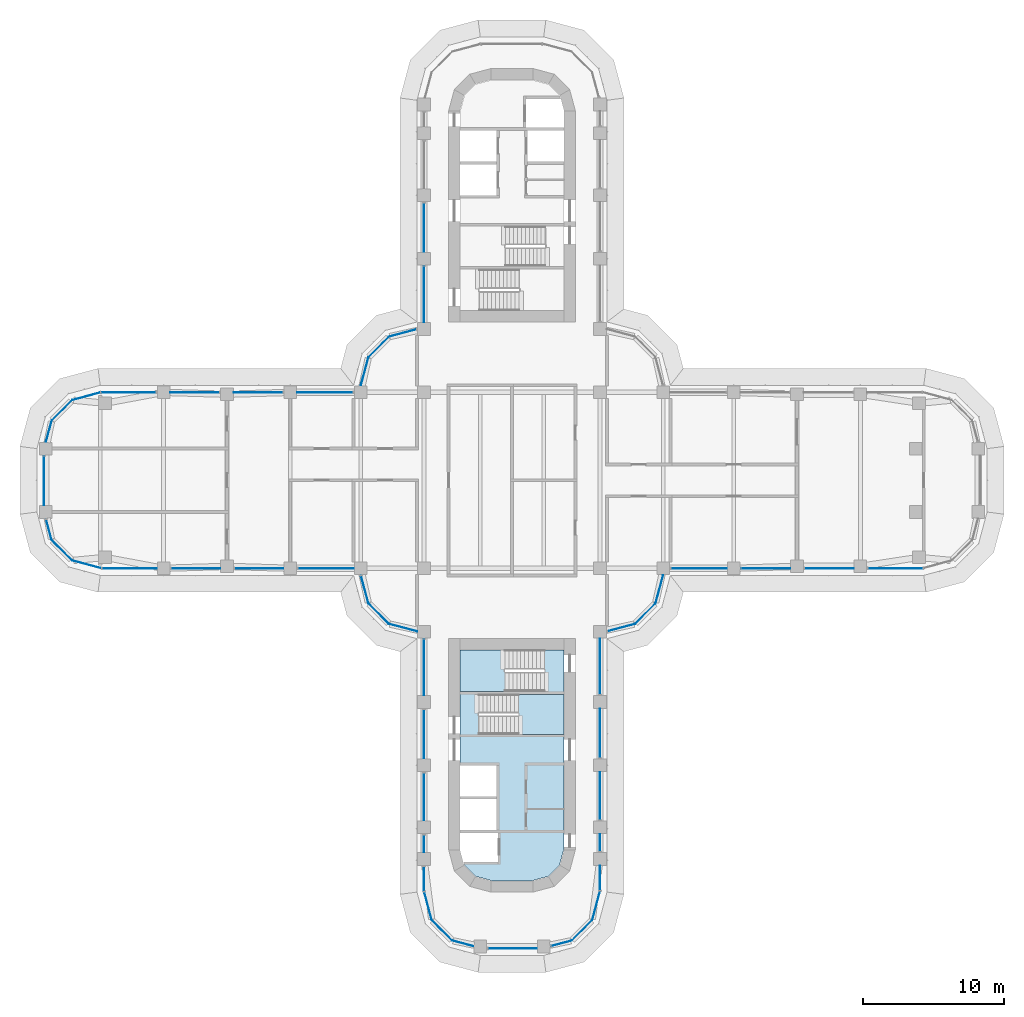
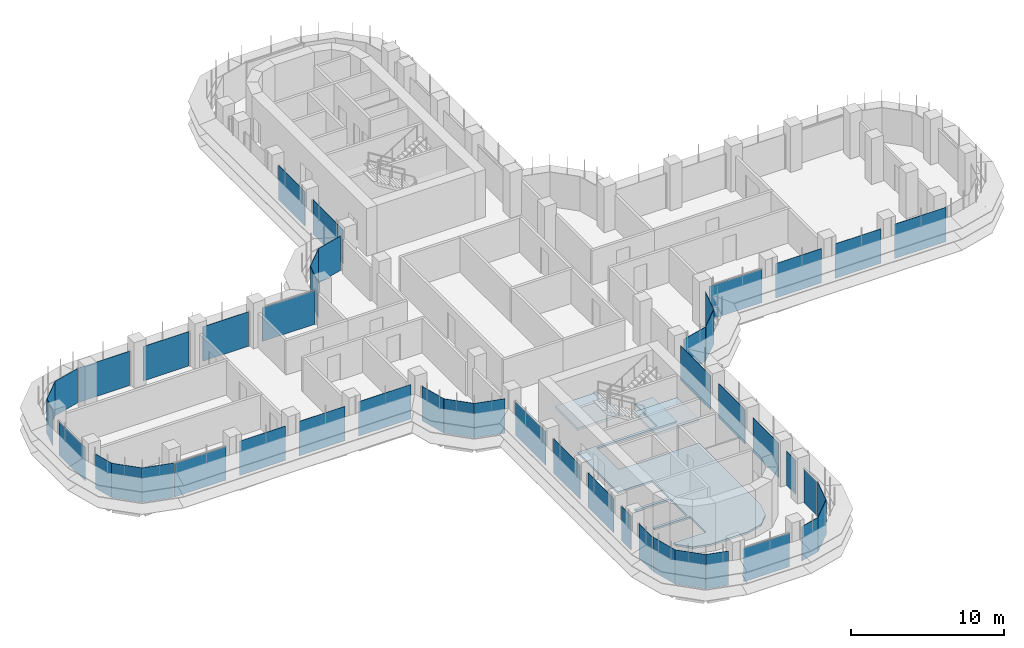
# One storey, part 12 of 22: 47 plates, 3 slabs, 31 elements without a shape of their own.
"""IFC4 building model written with IfcOpenShell, lengths in metres."""

from ifc_helpers import new_model, si_unit, direction, frame, origin, place, context, subcontext, project, spatial, polyline, outline, extrude, source, transform, mapped, material, layer, layer_set, type_object, element, aggregate, save


model = new_model("IFC4")

# Units and contexts
model_context = context("Model", 3, precision=1e-05, world=origin(), true_north=direction((0.0, 1.0)))
body_context = subcontext(model_context, "Body", "Model", "MODEL_VIEW")
ifc_project = project(units=[si_unit("LENGTHUNIT", "METRE"), si_unit("AREAUNIT", "SQUARE_METRE"), si_unit("VOLUMEUNIT", "CUBIC_METRE"), si_unit("PLANEANGLEUNIT", "RADIAN"), si_unit("MASSUNIT", "GRAM", prefix="KILO")], contexts=[model_context])

# Site, building, storey
site_placement = place(None, origin())
site = spatial("IfcSite", under=ifc_project, at=site_placement, CompositionType="ELEMENT")
building_placement = place(site_placement, origin())
building = spatial("IfcBuilding", under=site, at=building_placement, Name="Zarbagh Exchange Tower", CompositionType="ELEMENT")
storey_placement = place(building_placement, frame((0.0, 0.0, 101.800048828125)))
storey = spatial("IfcBuildingStorey", under=building, at=storey_placement, Name="L23", CompositionType="ELEMENT", Elevation=101.800048828125)

# Slab
ifc_material_1 = material(Name="Concrete C40/50", Category="concrete")
ifc_layer_1 = layer(ifc_material_1, 0.14990234375)
ifc_layer_set_1 = layer_set([ifc_layer_1], Name="Core floor slab 150 C40/50")
slab_type_1 = type_object("IfcSlabType", Name="Core floor slab 150 C40/50", PredefinedType="FLOOR", material=ifc_layer_set_1)
slab_1_placement = place(storey_placement, frame((0.0, 0.0, -0.150146484375)))
element("IfcSlab", 1, at=slab_1_placement, inside=storey, type_object=slab_type_1, Name="S17 core S", PredefinedType="FLOOR", context=body_context, shape_type="SweptSolid", body=[
    extrude(outline(polyline([(-2.5859375, -28.130859375), (-3.380859375, -27.3359375), (-3.646484375, -26.3447265625), (-3.444091796875, -27.10009765625), (-1.0, -27.10009765625), (-1.0, -25.050048828125), (-3.699951171875, -25.050048828125), (-3.699951171875, -24.85009765625), (-1.10009765625, -24.85009765625), (-1.10009765625, -22.64990234375), (-3.699951171875, -22.64990234375), (-3.699951171875, -22.449951171875), (-1.10009765625, -22.449951171875), (-1.10009765625, -20.25), (-3.699951171875, -20.25), (-3.699951171875, -15.0), (2.300048828125, -15.0), (2.300048828125, -12.050048828125), (3.699951171875, -12.050048828125), (3.699951171875, -15.199951171875), (-2.35009765625, -15.199951171875), (-2.35009765625, -18.050048828125), (3.699951171875, -18.050048828125), (3.699951171875, -26.144775390625), (3.380859375, -27.3359375), (2.5859375, -28.130859375), (1.394775390625, -28.449951171875), (-1.394775390625, -28.449951171875), (-2.5859375, -28.130859375)])), origin(), (0.0, 0.0, 1.0), 0.150146484375),
])

# Stair, slab
stair_type = type_object("IfcStairType", Name="Exit stair two-flight half-turn", PredefinedType="HALF_TURN_STAIR", material=ifc_material_1)
stair_1_placement = place(storey_placement, origin())
stair_1 = element("IfcStair", 2, at=stair_1_placement, inside=storey, type_object=stair_type, Name="exit stair ST3", PredefinedType="HALF_TURN_STAIR")
ifc_layer_2 = layer(ifc_material_1, 0.199951171875)
ifc_layer_set_2 = layer_set([ifc_layer_2], Name="Stair landing 200 mm")
slab_type_2 = type_object("IfcSlabType", Name="Stair landing 200 mm", PredefinedType="LANDING", material=ifc_layer_set_2)
slab_2_placement = place(storey_placement, frame((0.0, 0.0, 1.699951171875)))
slab_2 = element("IfcSlab", 3, at=slab_2_placement, type_object=slab_type_2, Name="ST3 landing 1", PredefinedType="LANDING", context=body_context, shape_type="SweptSolid", body=[
    extrude(outline(polyline([(0.449951171875, -18.050048828125), (3.699951171875, -18.050048828125), (3.699951171875, -15.199951171875), (0.449951171875, -15.199951171875), (0.449951171875, -18.050048828125)])), origin(), (0.0, 0.0, 1.0), 0.199951171875),
])
aggregate(stair_1, [slab_2])

stair_2_placement = place(storey_placement, origin())
stair_2 = element("IfcStair", 4, at=stair_2_placement, inside=storey, type_object=stair_type, Name="exit stair ST4", PredefinedType="HALF_TURN_STAIR")
slab_3_placement = place(storey_placement, frame((0.0, 0.0, 1.699951171875)))
slab_3 = element("IfcSlab", 5, at=slab_3_placement, type_object=slab_type_2, Name="ST4 landing 1", PredefinedType="LANDING", context=body_context, shape_type="SweptSolid", body=[
    extrude(outline(polyline([(-0.5, -12.050048828125), (-3.699951171875, -12.050048828125), (-3.699951171875, -15.0), (-0.5, -15.0), (-0.5, -12.050048828125)])), origin(), (0.0, 0.0, 1.0), 0.199951171875),
])
aggregate(stair_2, [slab_3])

# Curtain wall, plate
ifc_material_2 = material(Name="Anodised aluminium frame and glazing", Category="aluminium")
curtain_wall_type = type_object("IfcCurtainWallType", Name="CWA Ribbon glazing, lower zones", PredefinedType="NOTDEFINED", material=ifc_material_2)
curtain_wall_1_placement = place(storey_placement, origin())
curtain_wall_1 = element("IfcCurtainWall", 6, at=curtain_wall_1_placement, inside=storey, type_object=curtain_wall_type, Name="CWA01 curtain wall", PredefinedType="NOTDEFINED")
ifc_material_3 = material(Name="Low-e double glazed unit, 6+12+6 mm")
ifc_layer_3 = layer(ifc_material_3, 0.028076171875)
ifc_layer_set_3 = layer_set([ifc_layer_3], Name="PAA Glazing panel, Low-e double glazed unit, 6+12+6 mm")
plate_type = type_object("IfcPlateType", Name="PAA Glazing panel, Low-e double glazed unit, 6+12+6 mm", PredefinedType="CURTAIN_PANEL", material=ifc_layer_set_3)
shared_shape_1 = source(origin(), body_context, "Body", "SweptSolid", [
    extrude(outline(polyline([(0.0, -0.013916015625), (1.494140625, -0.013916015625), (1.494140625, 0.013916015625), (0.0, 0.013916015625), (0.0, -0.013916015625)])), origin(), (0.0, 0.0, 1.0), 2.75),
])
placement = place(storey_placement, origin())
plate_1 = element("IfcPlate", 7, at=placement, type_object=plate_type, Name="CWA01 glazing panel 1.1", PredefinedType="CURTAIN_PANEL", context=body_context, shape_type="MappedRepresentation", body=[
    mapped(shared_shape_1, transform((2.7978515625, -33.08544921875, 0.0), x_axis=(0.965924289636, 0.258824779902, 0.0), y_axis=(-0.258824779902, 0.965924289636, 0.0), z_axis=(0.0, 0.0, 1.0))),
])
aggregate(curtain_wall_1, [plate_1])

curtain_wall_2_placement = place(storey_placement, origin())
curtain_wall_2 = element("IfcCurtainWall", 8, at=curtain_wall_2_placement, inside=storey, type_object=curtain_wall_type, Name="CWA37 curtain wall", PredefinedType="NOTDEFINED")
plate_2 = element("IfcPlate", 9, at=placement, type_object=plate_type, Name="CWA37 glazing panel 1.1", PredefinedType="CURTAIN_PANEL", context=body_context, shape_type="MappedRepresentation", body=[
    mapped(shared_shape_1, transform((-33.08544921875, -2.7978515625, 0.0), x_axis=(0.258824779902, -0.965924289636, 0.0), y_axis=(0.965924289636, 0.258824779902, 0.0), z_axis=(0.0, 0.0, 1.0))),
])
aggregate(curtain_wall_2, [plate_2])

curtain_wall_3_placement = place(storey_placement, origin())
curtain_wall_3 = element("IfcCurtainWall", 10, at=curtain_wall_3_placement, inside=storey, type_object=curtain_wall_type, Name="CWA02 curtain wall", PredefinedType="NOTDEFINED")
shared_shape_2 = source(origin(), body_context, "Body", "SweptSolid", [
    extrude(outline(polyline([(0.0, -0.013916015625), (2.061279296875, -0.013916015625), (2.061279296875, 0.013916015625), (0.0, 0.013916015625), (0.0, -0.013916015625)])), origin(), (0.0, 0.0, 1.0), 2.75),
])
plate_3 = element("IfcPlate", 11, at=placement, type_object=plate_type, Name="CWA02 glazing panel 1.1", PredefinedType="CURTAIN_PANEL", context=body_context, shape_type="MappedRepresentation", body=[
    mapped(shared_shape_2, transform((4.2412109375, -32.69873046875, 0.0), x_axis=(0.707106781187, 0.707106781187, 0.0), y_axis=(-0.707106781187, 0.707106781187, 0.0), z_axis=(0.0, 0.0, 1.0))),
])
aggregate(curtain_wall_3, [plate_3])

curtain_wall_4_placement = place(storey_placement, origin())
curtain_wall_4 = element("IfcCurtainWall", 12, at=curtain_wall_4_placement, inside=storey, type_object=curtain_wall_type, Name="CWA06 curtain wall", PredefinedType="NOTDEFINED")
plate_4 = element("IfcPlate", 13, at=placement, type_object=plate_type, Name="CWA06 glazing panel 1.1", PredefinedType="CURTAIN_PANEL", context=body_context, shape_type="MappedRepresentation", body=[
    mapped(shared_shape_2, transform((8.7412109375, -10.19873046875, 0.0), x_axis=(0.707106781187, 0.707106781187, 0.0), y_axis=(-0.707106781187, 0.707106781187, 0.0), z_axis=(0.0, 0.0, 1.0))),
])
aggregate(curtain_wall_4, [plate_4])

curtain_wall_5_placement = place(storey_placement, origin())
curtain_wall_5 = element("IfcCurtainWall", 14, at=curtain_wall_5_placement, inside=storey, type_object=curtain_wall_type, Name="CWA30 curtain wall", PredefinedType="NOTDEFINED")
plate_5 = element("IfcPlate", 15, at=placement, type_object=plate_type, Name="CWA30 glazing panel 1.1", PredefinedType="CURTAIN_PANEL", context=body_context, shape_type="MappedRepresentation", body=[
    mapped(shared_shape_2, transform((-8.7412109375, 10.19873046875, 0.0), x_axis=(-0.707106781187, -0.707106781187, 0.0), y_axis=(0.707106781187, -0.707106781187, 0.0), z_axis=(0.0, 0.0, 1.0))),
])
aggregate(curtain_wall_5, [plate_5])

curtain_wall_6_placement = place(storey_placement, origin())
curtain_wall_6 = element("IfcCurtainWall", 16, at=curtain_wall_6_placement, inside=storey, type_object=curtain_wall_type, Name="CWA34 curtain wall", PredefinedType="NOTDEFINED")
plate_6 = element("IfcPlate", 17, at=placement, type_object=plate_type, Name="CWA34 glazing panel 1.1", PredefinedType="CURTAIN_PANEL", context=body_context, shape_type="MappedRepresentation", body=[
    mapped(shared_shape_2, transform((-31.2412109375, 5.69873046875, 0.0), x_axis=(-0.707106781187, -0.707106781187, 0.0), y_axis=(0.707106781187, -0.707106781187, 0.0), z_axis=(0.0, 0.0, 1.0))),
])
aggregate(curtain_wall_6, [plate_6])

curtain_wall_7_placement = place(storey_placement, origin())
curtain_wall_7 = element("IfcCurtainWall", 18, at=curtain_wall_7_placement, inside=storey, type_object=curtain_wall_type, Name="CWA38 curtain wall", PredefinedType="NOTDEFINED")
plate_7 = element("IfcPlate", 19, at=placement, type_object=plate_type, Name="CWA38 glazing panel 1.1", PredefinedType="CURTAIN_PANEL", context=body_context, shape_type="MappedRepresentation", body=[
    mapped(shared_shape_2, transform((-32.69873046875, -4.2412109375, 0.0), x_axis=(0.707106781187, -0.707106781187, 0.0), y_axis=(0.707106781187, 0.707106781187, 0.0), z_axis=(0.0, 0.0, 1.0))),
])
aggregate(curtain_wall_7, [plate_7])

curtain_wall_8_placement = place(storey_placement, origin())
curtain_wall_8 = element("IfcCurtainWall", 20, at=curtain_wall_8_placement, inside=storey, type_object=curtain_wall_type, Name="CWA42 curtain wall", PredefinedType="NOTDEFINED")
plate_8 = element("IfcPlate", 21, at=placement, type_object=plate_type, Name="CWA42 glazing panel 1.1", PredefinedType="CURTAIN_PANEL", context=body_context, shape_type="MappedRepresentation", body=[
    mapped(shared_shape_2, transform((-10.19873046875, -8.7412109375, 0.0), x_axis=(0.707106781187, -0.707106781187, 0.0), y_axis=(0.707106781187, 0.707106781187, 0.0), z_axis=(0.0, 0.0, 1.0))),
])
aggregate(curtain_wall_8, [plate_8])

curtain_wall_9_placement = place(storey_placement, origin())
curtain_wall_9 = element("IfcCurtainWall", 22, at=curtain_wall_9_placement, inside=storey, type_object=curtain_wall_type, Name="CWA46 curtain wall", PredefinedType="NOTDEFINED")
plate_9 = element("IfcPlate", 23, at=placement, type_object=plate_type, Name="CWA46 glazing panel 1.1", PredefinedType="CURTAIN_PANEL", context=body_context, shape_type="MappedRepresentation", body=[
    mapped(shared_shape_2, transform((-5.69873046875, -31.2412109375, 0.0), x_axis=(0.707106781187, -0.707106781187, 0.0), y_axis=(0.707106781187, 0.707106781187, 0.0), z_axis=(0.0, 0.0, 1.0))),
])
aggregate(curtain_wall_9, [plate_9])

curtain_wall_10_placement = place(storey_placement, origin())
curtain_wall_10 = element("IfcCurtainWall", 24, at=curtain_wall_10_placement, inside=storey, type_object=curtain_wall_type, Name="CWA03 curtain wall", PredefinedType="NOTDEFINED")
shared_shape_3 = source(origin(), body_context, "Body", "SweptSolid", [
    extrude(outline(polyline([(0.0, -0.013916015625), (2.129638671875, -0.013916015625), (2.129638671875, 0.013916015625), (0.0, 0.013916015625), (0.0, -0.013916015625)])), origin(), (0.0, 0.0, 1.0), 2.75),
])
plate_10 = element("IfcPlate", 25, at=placement, type_object=plate_type, Name="CWA03 glazing panel 1.1", PredefinedType="CURTAIN_PANEL", context=body_context, shape_type="MappedRepresentation", body=[
    mapped(shared_shape_3, transform((5.69873046875, -31.2412109375, 0.0), x_axis=(0.258824779902, 0.965924289636, 0.0), y_axis=(-0.965924289636, 0.258824779902, 0.0), z_axis=(0.0, 0.0, 1.0))),
])
aggregate(curtain_wall_10, [plate_10])

curtain_wall_11_placement = place(storey_placement, origin())
curtain_wall_11 = element("IfcCurtainWall", 26, at=curtain_wall_11_placement, inside=storey, type_object=curtain_wall_type, Name="CWA39 curtain wall", PredefinedType="NOTDEFINED")
plate_11 = element("IfcPlate", 27, at=placement, type_object=plate_type, Name="CWA39 glazing panel 1.1", PredefinedType="CURTAIN_PANEL", context=body_context, shape_type="MappedRepresentation", body=[
    mapped(shared_shape_3, transform((-31.2412109375, -5.69873046875, 0.0), x_axis=(0.965924289636, -0.258824779902, 0.0), y_axis=(0.258824779902, 0.965924289636, 0.0), z_axis=(0.0, 0.0, 1.0))),
])
aggregate(curtain_wall_11, [plate_11])

# Curtain wall, plates
curtain_wall_12_placement = place(storey_placement, origin())
curtain_wall_12 = element("IfcCurtainWall", 28, at=curtain_wall_12_placement, inside=storey, type_object=curtain_wall_type, Name="CWA04 curtain wall", PredefinedType="NOTDEFINED")
shared_shape_4 = source(origin(), body_context, "Body", "SweptSolid", [
    extrude(outline(polyline([(0.0, -0.013916015625), (1.734130859375, -0.013916015625), (1.734130859375, 0.013916015625), (0.0, 0.013916015625), (0.0, -0.013916015625)])), origin(), (0.0, 0.0, 1.0), 2.68994140625),
])
plate_12 = element("IfcPlate", 29, at=placement, type_object=plate_type, Name="CWA04 glazing panel 1.1", PredefinedType="CURTAIN_PANEL", context=body_context, shape_type="MappedRepresentation", body=[
    mapped(shared_shape_4, transform((6.25, -29.124267578125, 0.0), x_axis=(0.0, 1.0, 0.0), y_axis=(-1.0, 0.0, 0.0), z_axis=(0.0, 0.0, 1.0))),
])
shared_shape_5 = source(origin(), body_context, "Body", "SweptSolid", [
    extrude(outline(polyline([(0.0, -0.013916015625), (1.2099609375, -0.013916015625), (1.2099609375, 0.013916015625), (0.0, 0.013916015625), (0.0, -0.013916015625)])), origin(), (0.0, 0.0, 1.0), 2.75),
])
plate_13 = element("IfcPlate", 30, at=placement, type_object=plate_type, Name="CWA04 glazing panel 2.1", PredefinedType="CURTAIN_PANEL", context=body_context, shape_type="MappedRepresentation", body=[
    mapped(shared_shape_5, transform((6.25, -26.349853515625, 0.0), x_axis=(0.0, 1.0, 0.0), y_axis=(-1.0, 0.0, 0.0), z_axis=(0.0, 0.0, 1.0))),
])

# Curtain wall, plate
curtain_wall_13_placement = place(storey_placement, origin())
curtain_wall_13 = element("IfcCurtainWall", 31, at=curtain_wall_13_placement, inside=storey, type_object=curtain_wall_type, Name="CWA44 curtain wall", PredefinedType="NOTDEFINED")
plate_14 = element("IfcPlate", 32, at=placement, type_object=plate_type, Name="CWA44 glazing panel 4.1", PredefinedType="CURTAIN_PANEL", context=body_context, shape_type="MappedRepresentation", body=[
    mapped(shared_shape_5, transform((-6.25, -25.199951171875, 0.0), x_axis=(0.0, -1.0, 0.0), y_axis=(1.0, 0.0, 0.0), z_axis=(0.0, 0.0, 1.0))),
])

# Plate
shared_shape_6 = source(origin(), body_context, "Body", "SweptSolid", [
    extrude(outline(polyline([(0.0, -0.013916015625), (3.360107421875, -0.013916015625), (3.360107421875, 0.013916015625), (0.0, 0.013916015625), (0.0, -0.013916015625)])), origin(), (0.0, 0.0, 1.0), 2.75),
])
plate_15 = element("IfcPlate", 33, at=placement, type_object=plate_type, Name="CWA04 glazing panel 3.1", PredefinedType="CURTAIN_PANEL", context=body_context, shape_type="MappedRepresentation", body=[
    mapped(shared_shape_6, transform((6.25, -24.099853515625, 0.0), x_axis=(0.0, 1.0, 0.0), y_axis=(-1.0, 0.0, 0.0), z_axis=(0.0, 0.0, 1.0))),
])

plate_16 = element("IfcPlate", 34, at=placement, type_object=plate_type, Name="CWA44 glazing panel 3.1", PredefinedType="CURTAIN_PANEL", context=body_context, shape_type="MappedRepresentation", body=[
    mapped(shared_shape_6, transform((-6.25, -20.800048828125, 0.0), x_axis=(0.0, -1.0, 0.0), y_axis=(1.0, 0.0, 0.0), z_axis=(0.0, 0.0, 1.0))),
])

shared_shape_7 = source(origin(), body_context, "Body", "SweptSolid", [
    extrude(outline(polyline([(0.0, -0.013916015625), (3.4599609375, -0.013916015625), (3.4599609375, 0.013916015625), (0.0, 0.013916015625), (0.0, -0.013916015625)])), origin(), (0.0, 0.0, 1.0), 2.75),
])
plate_17 = element("IfcPlate", 35, at=placement, type_object=plate_type, Name="CWA04 glazing panel 4.1", PredefinedType="CURTAIN_PANEL", context=body_context, shape_type="MappedRepresentation", body=[
    mapped(shared_shape_7, transform((6.25, -19.699951171875, 0.0), x_axis=(0.0, 1.0, 0.0), y_axis=(-1.0, 0.0, 0.0), z_axis=(0.0, 0.0, 1.0))),
])

# Curtain wall, plates
curtain_wall_14_placement = place(storey_placement, origin())
curtain_wall_14 = element("IfcCurtainWall", 36, at=curtain_wall_14_placement, inside=storey, type_object=curtain_wall_type, Name="CWA08 curtain wall", PredefinedType="NOTDEFINED")
plate_18 = element("IfcPlate", 37, at=placement, type_object=plate_type, Name="CWA08 glazing panel 2.1", PredefinedType="CURTAIN_PANEL", context=body_context, shape_type="MappedRepresentation", body=[
    mapped(shared_shape_7, transform((16.300048828125, -6.25, 0.0), x_axis=(1.0, 0.0, 0.0), y_axis=(0.0, 1.0, 0.0), z_axis=(0.0, 0.0, 1.0))),
])
plate_19 = element("IfcPlate", 38, at=placement, type_object=plate_type, Name="CWA08 glazing panel 3.1", PredefinedType="CURTAIN_PANEL", context=body_context, shape_type="MappedRepresentation", body=[
    mapped(shared_shape_7, transform((20.800048828125, -6.25, 0.0), x_axis=(1.0, 0.0, 0.0), y_axis=(0.0, 1.0, 0.0), z_axis=(0.0, 0.0, 1.0))),
])

# Curtain wall, plate
curtain_wall_15_placement = place(storey_placement, origin())
curtain_wall_15 = element("IfcCurtainWall", 39, at=curtain_wall_15_placement, inside=storey, type_object=curtain_wall_type, Name="CWA56 curtain wall", PredefinedType="NOTDEFINED")
plate_20 = element("IfcPlate", 40, at=placement, type_object=plate_type, Name="CWA56 glazing panel 3.1", PredefinedType="CURTAIN_PANEL", context=body_context, shape_type="MappedRepresentation", body=[
    mapped(shared_shape_7, transform((-6.25, 19.699951171875, 0.0), x_axis=(0.0, -1.0, 0.0), y_axis=(1.0, 0.0, 0.0), z_axis=(0.0, 0.0, 1.0))),
])

# Curtain wall, plates
curtain_wall_16_placement = place(storey_placement, origin())
curtain_wall_16 = element("IfcCurtainWall", 41, at=curtain_wall_16_placement, inside=storey, type_object=curtain_wall_type, Name="CWA32 curtain wall", PredefinedType="NOTDEFINED")
plate_21 = element("IfcPlate", 42, at=placement, type_object=plate_type, Name="CWA32 glazing panel 2.1", PredefinedType="CURTAIN_PANEL", context=body_context, shape_type="MappedRepresentation", body=[
    mapped(shared_shape_7, transform((-16.300048828125, 6.25, 0.0), x_axis=(-1.0, 0.0, 0.0), y_axis=(0.0, -1.0, 0.0), z_axis=(0.0, 0.0, 1.0))),
])
plate_22 = element("IfcPlate", 43, at=placement, type_object=plate_type, Name="CWA32 glazing panel 3.1", PredefinedType="CURTAIN_PANEL", context=body_context, shape_type="MappedRepresentation", body=[
    mapped(shared_shape_7, transform((-20.800048828125, 6.25, 0.0), x_axis=(-1.0, 0.0, 0.0), y_axis=(0.0, -1.0, 0.0), z_axis=(0.0, 0.0, 1.0))),
])

curtain_wall_17_placement = place(storey_placement, origin())
curtain_wall_17 = element("IfcCurtainWall", 44, at=curtain_wall_17_placement, inside=storey, type_object=curtain_wall_type, Name="CWA40 curtain wall", PredefinedType="NOTDEFINED")
plate_23 = element("IfcPlate", 45, at=placement, type_object=plate_type, Name="CWA40 glazing panel 2.1", PredefinedType="CURTAIN_PANEL", context=body_context, shape_type="MappedRepresentation", body=[
    mapped(shared_shape_7, transform((-24.199951171875, -6.25, 0.0), x_axis=(1.0, 0.0, 0.0), y_axis=(0.0, 1.0, 0.0), z_axis=(0.0, 0.0, 1.0))),
])
plate_24 = element("IfcPlate", 46, at=placement, type_object=plate_type, Name="CWA40 glazing panel 3.1", PredefinedType="CURTAIN_PANEL", context=body_context, shape_type="MappedRepresentation", body=[
    mapped(shared_shape_7, transform((-19.699951171875, -6.25, 0.0), x_axis=(1.0, 0.0, 0.0), y_axis=(0.0, 1.0, 0.0), z_axis=(0.0, 0.0, 1.0))),
])

# Plate
plate_25 = element("IfcPlate", 47, at=placement, type_object=plate_type, Name="CWA44 glazing panel 2.1", PredefinedType="CURTAIN_PANEL", context=body_context, shape_type="MappedRepresentation", body=[
    mapped(shared_shape_7, transform((-6.25, -16.300048828125, 0.0), x_axis=(0.0, -1.0, 0.0), y_axis=(1.0, 0.0, 0.0), z_axis=(0.0, 0.0, 1.0))),
])

shared_shape_8 = source(origin(), body_context, "Body", "SweptSolid", [
    extrude(outline(polyline([(0.0, -0.013916015625), (3.9599609375, -0.013916015625), (3.9599609375, 0.013916015625), (0.0, 0.013916015625), (0.0, -0.013916015625)])), origin(), (0.0, 0.0, 1.0), 2.75),
])
plate_26 = element("IfcPlate", 48, at=placement, type_object=plate_type, Name="CWA04 glazing panel 5.1", PredefinedType="CURTAIN_PANEL", context=body_context, shape_type="MappedRepresentation", body=[
    mapped(shared_shape_8, transform((6.25, -15.199951171875, 0.0), x_axis=(0.0, 1.0, 0.0), y_axis=(-1.0, 0.0, 0.0), z_axis=(0.0, 0.0, 1.0))),
])

aggregate(curtain_wall_12, [plate_12, plate_13, plate_15, plate_17, plate_26])

plate_27 = element("IfcPlate", 49, at=placement, type_object=plate_type, Name="CWA56 glazing panel 4.1", PredefinedType="CURTAIN_PANEL", context=body_context, shape_type="MappedRepresentation", body=[
    mapped(shared_shape_8, transform((-6.25, 15.199951171875, 0.0), x_axis=(0.0, -1.0, 0.0), y_axis=(1.0, 0.0, 0.0), z_axis=(0.0, 0.0, 1.0))),
])

aggregate(curtain_wall_15, [plate_20, plate_27])

plate_28 = element("IfcPlate", 50, at=placement, type_object=plate_type, Name="CWA40 glazing panel 4.1", PredefinedType="CURTAIN_PANEL", context=body_context, shape_type="MappedRepresentation", body=[
    mapped(shared_shape_8, transform((-15.199951171875, -6.25, 0.0), x_axis=(1.0, 0.0, 0.0), y_axis=(0.0, 1.0, 0.0), z_axis=(0.0, 0.0, 1.0))),
])

# Curtain wall, plate
curtain_wall_18_placement = place(storey_placement, origin())
curtain_wall_18 = element("IfcCurtainWall", 51, at=curtain_wall_18_placement, inside=storey, type_object=curtain_wall_type, Name="CWA05 curtain wall", PredefinedType="NOTDEFINED")
shared_shape_9 = source(origin(), body_context, "Body", "SweptSolid", [
    extrude(outline(polyline([(0.0, -0.013916015625), (2.01171875, -0.013916015625), (2.01171875, 0.013916015625), (0.0, 0.013916015625), (0.0, -0.013916015625)])), origin(), (0.0, 0.0, 1.0), 2.75),
])
plate_29 = element("IfcPlate", 52, at=placement, type_object=plate_type, Name="CWA05 glazing panel 1.1", PredefinedType="CURTAIN_PANEL", context=body_context, shape_type="MappedRepresentation", body=[
    mapped(shared_shape_9, transform((6.7978515625, -10.719482421875, 0.0), x_axis=(0.965924289636, 0.258824779902, 0.0), y_axis=(-0.258824779902, 0.965924289636, 0.0), z_axis=(0.0, 0.0, 1.0))),
])
aggregate(curtain_wall_18, [plate_29])

curtain_wall_19_placement = place(storey_placement, origin())
curtain_wall_19 = element("IfcCurtainWall", 53, at=curtain_wall_19_placement, inside=storey, type_object=curtain_wall_type, Name="CWA29 curtain wall", PredefinedType="NOTDEFINED")
plate_30 = element("IfcPlate", 54, at=placement, type_object=plate_type, Name="CWA29 glazing panel 1.1", PredefinedType="CURTAIN_PANEL", context=body_context, shape_type="MappedRepresentation", body=[
    mapped(shared_shape_9, transform((-6.7978515625, 10.719482421875, 0.0), x_axis=(-0.965924289636, -0.258824779902, 0.0), y_axis=(0.258824779902, -0.965924289636, 0.0), z_axis=(0.0, 0.0, 1.0))),
])
aggregate(curtain_wall_19, [plate_30])

curtain_wall_20_placement = place(storey_placement, origin())
curtain_wall_20 = element("IfcCurtainWall", 55, at=curtain_wall_20_placement, inside=storey, type_object=curtain_wall_type, Name="CWA41 curtain wall", PredefinedType="NOTDEFINED")
plate_31 = element("IfcPlate", 56, at=placement, type_object=plate_type, Name="CWA41 glazing panel 1.1", PredefinedType="CURTAIN_PANEL", context=body_context, shape_type="MappedRepresentation", body=[
    mapped(shared_shape_9, transform((-10.719482421875, -6.7978515625, 0.0), x_axis=(0.258824779902, -0.965924289636, 0.0), y_axis=(0.965924289636, 0.258824779902, 0.0), z_axis=(0.0, 0.0, 1.0))),
])
aggregate(curtain_wall_20, [plate_31])

curtain_wall_21_placement = place(storey_placement, origin())
curtain_wall_21 = element("IfcCurtainWall", 57, at=curtain_wall_21_placement, inside=storey, type_object=curtain_wall_type, Name="CWA07 curtain wall", PredefinedType="NOTDEFINED")
shared_shape_10 = source(origin(), body_context, "Body", "SweptSolid", [
    extrude(outline(polyline([(0.0, -0.013916015625), (2.07177734375, -0.013916015625), (2.07177734375, 0.013916015625), (0.0, 0.013916015625), (0.0, -0.013916015625)])), origin(), (0.0, 0.0, 1.0), 2.75),
])
plate_32 = element("IfcPlate", 58, at=placement, type_object=plate_type, Name="CWA07 glazing panel 1.1", PredefinedType="CURTAIN_PANEL", context=body_context, shape_type="MappedRepresentation", body=[
    mapped(shared_shape_10, transform((10.19873046875, -8.7412109375, 0.0), x_axis=(0.258824779902, 0.965924289636, 0.0), y_axis=(-0.965924289636, 0.258824779902, 0.0), z_axis=(0.0, 0.0, 1.0))),
])
aggregate(curtain_wall_21, [plate_32])

curtain_wall_22_placement = place(storey_placement, origin())
curtain_wall_22 = element("IfcCurtainWall", 59, at=curtain_wall_22_placement, inside=storey, type_object=curtain_wall_type, Name="CWA31 curtain wall", PredefinedType="NOTDEFINED")
plate_33 = element("IfcPlate", 60, at=placement, type_object=plate_type, Name="CWA31 glazing panel 1.1", PredefinedType="CURTAIN_PANEL", context=body_context, shape_type="MappedRepresentation", body=[
    mapped(shared_shape_10, transform((-10.19873046875, 8.7412109375, 0.0), x_axis=(-0.258824779902, -0.965924289636, 0.0), y_axis=(0.965924289636, -0.258824779902, 0.0), z_axis=(0.0, 0.0, 1.0))),
])
aggregate(curtain_wall_22, [plate_33])

curtain_wall_23_placement = place(storey_placement, origin())
curtain_wall_23 = element("IfcCurtainWall", 61, at=curtain_wall_23_placement, inside=storey, type_object=curtain_wall_type, Name="CWA43 curtain wall", PredefinedType="NOTDEFINED")
plate_34 = element("IfcPlate", 62, at=placement, type_object=plate_type, Name="CWA43 glazing panel 1.1", PredefinedType="CURTAIN_PANEL", context=body_context, shape_type="MappedRepresentation", body=[
    mapped(shared_shape_10, transform((-8.7412109375, -10.19873046875, 0.0), x_axis=(0.965924289636, -0.258824779902, 0.0), y_axis=(0.258824779902, 0.965924289636, 0.0), z_axis=(0.0, 0.0, 1.0))),
])
aggregate(curtain_wall_23, [plate_34])

# Plate
shared_shape_11 = source(origin(), body_context, "Body", "SweptSolid", [
    extrude(outline(polyline([(0.0, -0.013916015625), (3.9599609375, -0.013916015625), (3.9599609375, 0.013916015625), (0.0, 0.013916015625), (0.0, -0.013916015625)])), origin(), (0.0, 0.0, 1.0), 2.68994140625),
])
plate_35 = element("IfcPlate", 63, at=placement, type_object=plate_type, Name="CWA08 glazing panel 1.1", PredefinedType="CURTAIN_PANEL", context=body_context, shape_type="MappedRepresentation", body=[
    mapped(shared_shape_11, transform((11.300048828125, -6.25, 0.0), x_axis=(1.0, 0.0, 0.0), y_axis=(0.0, 1.0, 0.0), z_axis=(0.0, 0.0, 1.0))),
])

plate_36 = element("IfcPlate", 64, at=placement, type_object=plate_type, Name="CWA32 glazing panel 1.1", PredefinedType="CURTAIN_PANEL", context=body_context, shape_type="MappedRepresentation", body=[
    mapped(shared_shape_11, transform((-11.300048828125, 6.25, 0.0), x_axis=(-1.0, 0.0, 0.0), y_axis=(0.0, -1.0, 0.0), z_axis=(0.0, 0.0, 1.0))),
])

plate_37 = element("IfcPlate", 65, at=placement, type_object=plate_type, Name="CWA44 glazing panel 1.1", PredefinedType="CURTAIN_PANEL", context=body_context, shape_type="MappedRepresentation", body=[
    mapped(shared_shape_11, transform((-6.25, -11.300048828125, 0.0), x_axis=(0.0, -1.0, 0.0), y_axis=(1.0, 0.0, 0.0), z_axis=(0.0, 0.0, 1.0))),
])

shared_shape_12 = source(origin(), body_context, "Body", "SweptSolid", [
    extrude(outline(polyline([(0.0, -0.013916015625), (3.884033203125, -0.013916015625), (3.884033203125, 0.013916015625), (0.0, 0.013916015625), (0.0, -0.013916015625)])), origin(), (0.0, 0.0, 1.0), 2.75),
])
plate_38 = element("IfcPlate", 66, at=placement, type_object=plate_type, Name="CWA08 glazing panel 4.1", PredefinedType="CURTAIN_PANEL", context=body_context, shape_type="MappedRepresentation", body=[
    mapped(shared_shape_12, transform((25.300048828125, -6.25, 0.0), x_axis=(1.0, 0.0, 0.0), y_axis=(0.0, 1.0, 0.0), z_axis=(0.0, 0.0, 1.0))),
])

aggregate(curtain_wall_14, [plate_35, plate_18, plate_19, plate_38])

plate_39 = element("IfcPlate", 67, at=placement, type_object=plate_type, Name="CWA32 glazing panel 4.1", PredefinedType="CURTAIN_PANEL", context=body_context, shape_type="MappedRepresentation", body=[
    mapped(shared_shape_12, transform((-25.300048828125, 6.25, 0.0), x_axis=(-1.0, 0.0, 0.0), y_axis=(0.0, -1.0, 0.0), z_axis=(0.0, 0.0, 1.0))),
])

aggregate(curtain_wall_16, [plate_36, plate_21, plate_22, plate_39])

# Curtain wall, plate
curtain_wall_24_placement = place(storey_placement, origin())
curtain_wall_24 = element("IfcCurtainWall", 68, at=curtain_wall_24_placement, inside=storey, type_object=curtain_wall_type, Name="CWA33 curtain wall", PredefinedType="NOTDEFINED")
shared_shape_13 = source(origin(), body_context, "Body", "SweptSolid", [
    extrude(outline(polyline([(0.0, -0.013916015625), (2.069580078125, -0.013916015625), (2.069580078125, 0.013916015625), (0.0, 0.013916015625), (0.0, -0.013916015625)])), origin(), (0.0, 0.0, 1.0), 2.75),
])
plate_40 = element("IfcPlate", 69, at=placement, type_object=plate_type, Name="CWA33 glazing panel 1.1", PredefinedType="CURTAIN_PANEL", context=body_context, shape_type="MappedRepresentation", body=[
    mapped(shared_shape_13, transform((-29.2421875, 6.234375, 0.0), x_axis=(-0.965924289636, -0.258824779902, 0.0), y_axis=(0.258824779902, -0.965924289636, 0.0), z_axis=(0.0, 0.0, 1.0))),
])
aggregate(curtain_wall_24, [plate_40])

curtain_wall_25_placement = place(storey_placement, origin())
curtain_wall_25 = element("IfcCurtainWall", 70, at=curtain_wall_25_placement, inside=storey, type_object=curtain_wall_type, Name="CWA45 curtain wall", PredefinedType="NOTDEFINED")
plate_41 = element("IfcPlate", 71, at=placement, type_object=plate_type, Name="CWA45 glazing panel 1.1", PredefinedType="CURTAIN_PANEL", context=body_context, shape_type="MappedRepresentation", body=[
    mapped(shared_shape_13, transform((-6.234375, -29.2421875, 0.0), x_axis=(0.258824779902, -0.965924289636, 0.0), y_axis=(0.965924289636, 0.258824779902, 0.0), z_axis=(0.0, 0.0, 1.0))),
])
aggregate(curtain_wall_25, [plate_41])

curtain_wall_26_placement = place(storey_placement, origin())
curtain_wall_26 = element("IfcCurtainWall", 72, at=curtain_wall_26_placement, inside=storey, type_object=curtain_wall_type, Name="CWA35 curtain wall", PredefinedType="NOTDEFINED")
shared_shape_14 = source(origin(), body_context, "Body", "SweptSolid", [
    extrude(outline(polyline([(0.0, -0.013916015625), (1.55419921875, -0.013916015625), (1.55419921875, 0.013916015625), (0.0, 0.013916015625), (0.0, -0.013916015625)])), origin(), (0.0, 0.0, 1.0), 2.75),
])
plate_42 = element("IfcPlate", 73, at=placement, type_object=plate_type, Name="CWA35 glazing panel 1.1", PredefinedType="CURTAIN_PANEL", context=body_context, shape_type="MappedRepresentation", body=[
    mapped(shared_shape_14, transform((-32.69873046875, 4.2412109375, 0.0), x_axis=(-0.258824779902, -0.965924289636, 0.0), y_axis=(0.965924289636, -0.258824779902, 0.0), z_axis=(0.0, 0.0, 1.0))),
])
aggregate(curtain_wall_26, [plate_42])

curtain_wall_27_placement = place(storey_placement, origin())
curtain_wall_27 = element("IfcCurtainWall", 74, at=curtain_wall_27_placement, inside=storey, type_object=curtain_wall_type, Name="CWA47 curtain wall", PredefinedType="NOTDEFINED")
plate_43 = element("IfcPlate", 75, at=placement, type_object=plate_type, Name="CWA47 glazing panel 1.1", PredefinedType="CURTAIN_PANEL", context=body_context, shape_type="MappedRepresentation", body=[
    mapped(shared_shape_14, transform((-4.2412109375, -32.69873046875, 0.0), x_axis=(0.965924289636, -0.258824779902, 0.0), y_axis=(0.258824779902, 0.965924289636, 0.0), z_axis=(0.0, 0.0, 1.0))),
])
aggregate(curtain_wall_27, [plate_43])

curtain_wall_28_placement = place(storey_placement, origin())
curtain_wall_28 = element("IfcCurtainWall", 76, at=curtain_wall_28_placement, inside=storey, type_object=curtain_wall_type, Name="CWA36 curtain wall", PredefinedType="NOTDEFINED")
shared_shape_15 = source(origin(), body_context, "Body", "SweptSolid", [
    extrude(outline(polyline([(0.0, -0.013916015625), (3.4599609375, -0.013916015625), (3.4599609375, 0.013916015625), (0.0, 0.013916015625), (0.0, -0.013916015625)])), origin(), (0.0, 0.0, 1.0), 2.68994140625),
])
plate_44 = element("IfcPlate", 77, at=placement, type_object=plate_type, Name="CWA36 glazing panel 1.1", PredefinedType="CURTAIN_PANEL", context=body_context, shape_type="MappedRepresentation", body=[
    mapped(shared_shape_15, transform((-33.25, 1.699951171875, 0.0), x_axis=(0.0, -1.0, 0.0), y_axis=(1.0, 0.0, 0.0), z_axis=(0.0, 0.0, 1.0))),
])
aggregate(curtain_wall_28, [plate_44])

curtain_wall_29_placement = place(storey_placement, origin())
curtain_wall_29 = element("IfcCurtainWall", 78, at=curtain_wall_29_placement, inside=storey, type_object=curtain_wall_type, Name="CWA48 curtain wall", PredefinedType="NOTDEFINED")
plate_45 = element("IfcPlate", 79, at=placement, type_object=plate_type, Name="CWA48 glazing panel 1.1", PredefinedType="CURTAIN_PANEL", context=body_context, shape_type="MappedRepresentation", body=[
    mapped(shared_shape_15, transform((-1.699951171875, -33.25, 0.0), x_axis=(1.0, 0.0, 0.0), y_axis=(0.0, 1.0, 0.0), z_axis=(0.0, 0.0, 1.0))),
])
aggregate(curtain_wall_29, [plate_45])

# Plate
shared_shape_16 = source(origin(), body_context, "Body", "SweptSolid", [
    extrude(outline(polyline([(0.0, -0.013916015625), (3.88427734375, -0.013916015625), (3.88427734375, 0.013916015625), (0.0, 0.013916015625), (0.0, -0.013916015625)])), origin(), (0.0, 0.0, 1.0), 2.68994140625),
])
plate_46 = element("IfcPlate", 80, at=placement, type_object=plate_type, Name="CWA40 glazing panel 1.1", PredefinedType="CURTAIN_PANEL", context=body_context, shape_type="MappedRepresentation", body=[
    mapped(shared_shape_16, transform((-29.124267578125, -6.25, 0.0), x_axis=(1.0, 0.0, 0.0), y_axis=(0.0, 1.0, 0.0), z_axis=(0.0, 0.0, 1.0))),
])

aggregate(curtain_wall_17, [plate_46, plate_23, plate_24, plate_28])

shared_shape_17 = source(origin(), body_context, "Body", "SweptSolid", [
    extrude(outline(polyline([(0.0, -0.013916015625), (1.734130859375, -0.013916015625), (1.734130859375, 0.013916015625), (0.0, 0.013916015625), (0.0, -0.013916015625)])), origin(), (0.0, 0.0, 1.0), 2.75),
])
plate_47 = element("IfcPlate", 81, at=placement, type_object=plate_type, Name="CWA44 glazing panel 5.1", PredefinedType="CURTAIN_PANEL", context=body_context, shape_type="MappedRepresentation", body=[
    mapped(shared_shape_17, transform((-6.25, -27.449951171875, 0.0), x_axis=(0.0, -1.0, 0.0), y_axis=(1.0, 0.0, 0.0), z_axis=(0.0, 0.0, 1.0))),
])

aggregate(curtain_wall_13, [plate_37, plate_25, plate_16, plate_14, plate_47])

save(model, "model.ifc")
